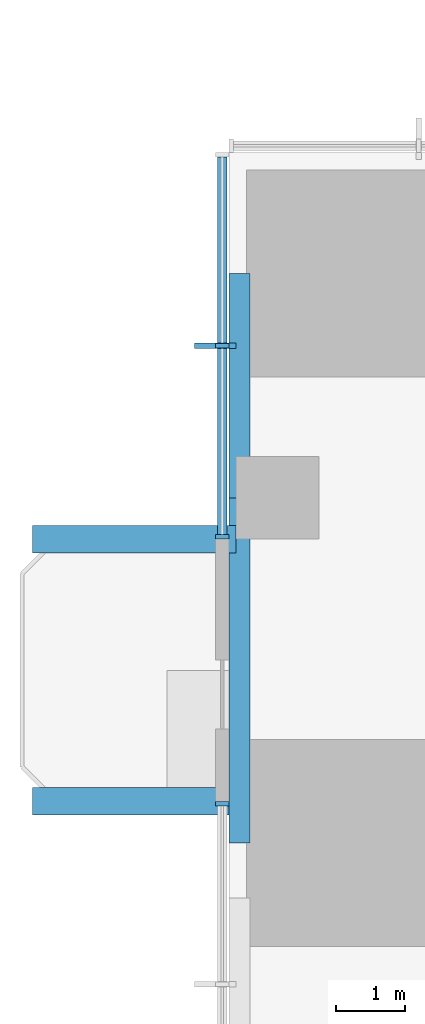
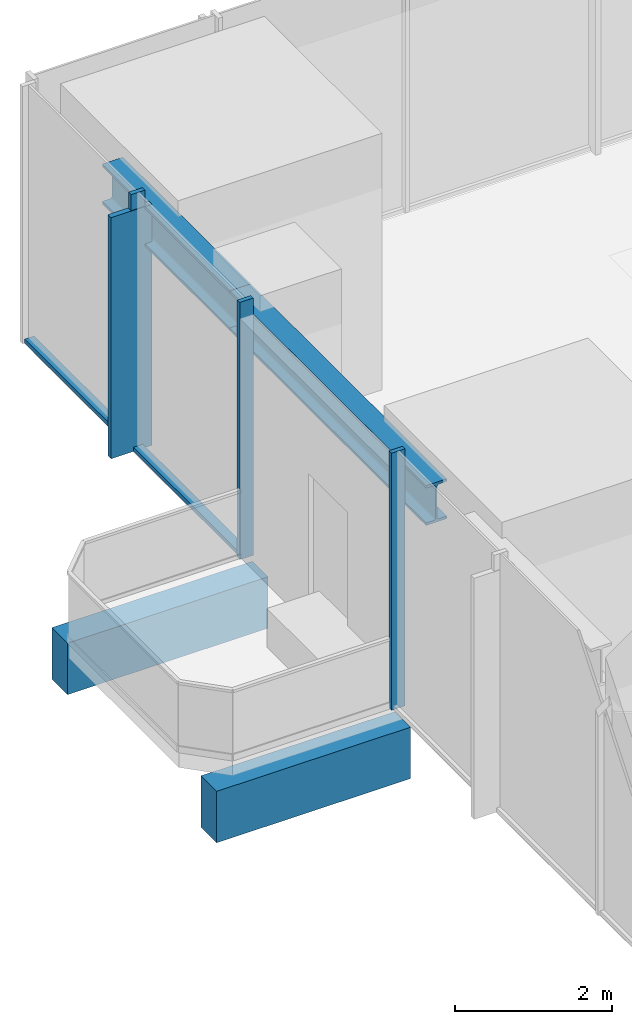
# One storey, part 3 of 13: 6 members, 4 beams, 2 elements without a shape of their own.
"""IFC4 building model written with IfcOpenShell, lengths in metres."""

from ifc_helpers import new_model, si_unit, direction, frame, origin, origin_2d, place, context, subcontext, project, spatial, rectangle, i_section, extrude, material, material_profile, profile_set, type_object, element, aggregate, save


model = new_model("IFC4")

# Units and contexts
model_context = context("Model", 3, precision=1e-05, world=origin(), true_north=direction((0.0, 1.0)))
body_context = subcontext(model_context, "Body", "Model", "MODEL_VIEW")
ifc_project = project(units=[si_unit("LENGTHUNIT", "METRE"), si_unit("AREAUNIT", "SQUARE_METRE"), si_unit("VOLUMEUNIT", "CUBIC_METRE"), si_unit("PLANEANGLEUNIT", "RADIAN"), si_unit("MASSUNIT", "GRAM", prefix="KILO")], contexts=[model_context])

# Site, building, storey
site_placement = place(None, origin())
site = spatial("IfcSite", under=ifc_project, at=site_placement, CompositionType="ELEMENT")
building_placement = place(site_placement, origin())
building = spatial("IfcBuilding", under=site, at=building_placement, Name="Svetlomir Tower", CompositionType="ELEMENT")
storey_placement = place(building_placement, frame((0.0, 0.0, 100.5)))
storey = spatial("IfcBuildingStorey", under=building, at=storey_placement, Name="L23", CompositionType="ELEMENT", Elevation=100.5)

# Beams
ifc_material_1 = material(Name="Concrete C60/75", Category="concrete")
ifc_material_profile_1 = material_profile(ifc_material_1, rectangle(XDim=0.39990234375, YDim=0.800048828125, at=origin_2d()), Name="RC 400x800")
ifc_profile_set_1 = profile_set([ifc_material_profile_1], Name="Concrete C60/75")
beam_type_1 = type_object("IfcBeamType", Name="BALCONY RIB RC 400x800", PredefinedType="BEAM", material=ifc_profile_set_1)
beam_1_placement = place(storey_placement, frame((0.0, 21.60009765625, -0.64990234375), z_axis=(-1.0, 0.0, 0.0), x_axis=(0.0, -1.0, 0.0)))
element("IfcBeam", 1, at=beam_1_placement, inside=storey, type_object=beam_type_1, Name="Balcony rib W 1 L23", PredefinedType="BEAM", context=body_context, shape_type="SweptSolid", body=[
    extrude(rectangle(XDim=0.39990234375, YDim=0.800048828125, at=origin_2d()), origin(), (0.0, 0.0, 1.0), 2.85009765625),
])
beam_2_placement = place(storey_placement, frame((0.10009765625, 25.39990234375, -0.64990234375), z_axis=(-1.0, 0.0, 0.0), x_axis=(0.0, -1.0, 0.0)))
element("IfcBeam", 2, at=beam_2_placement, inside=storey, type_object=beam_type_1, Name="Balcony rib W 2 L23", PredefinedType="BEAM", context=body_context, shape_type="SweptSolid", body=[
    extrude(rectangle(XDim=0.39990234375, YDim=0.800048828125, at=origin_2d()), origin(), (0.0, 0.0, 1.0), 2.9501953125),
])

# Curtain wall, members
ifc_material_2 = material(Name="Bronze anodised aluminium curtain wall", Category="aluminium")
curtain_wall_type = type_object("IfcCurtainWallType", Name="CURTAIN WALL CW1 TOWER OFFICE", PredefinedType="NOTDEFINED", material=ifc_material_2)
curtain_wall_1_placement = place(storey_placement, origin())
curtain_wall_1 = element("IfcCurtainWall", 3, at=curtain_wall_1_placement, inside=storey, type_object=curtain_wall_type, Name="Curtain wall CW1 L23", PredefinedType="NOTDEFINED")
ifc_material_3 = material(Name="Bronze anodised aluminium", Category="aluminium")
ifc_material_profile_2 = material_profile(ifc_material_3, rectangle(XDim=0.080078125, YDim=0.60009765625, at=origin_2d()), Name="FIN 80x600")
ifc_profile_set_2 = profile_set([ifc_material_profile_2], Name="Bronze anodised aluminium 6063-T6")
member_type_1 = type_object("IfcMemberType", Name="BRONZE FIN 80x600", PredefinedType="USERDEFINED", material=ifc_profile_set_2)
member_1_placement = place(storey_placement, frame((-0.199951171875, 28.199951171875, 0.0), z_axis=(0.0, 0.0, 1.0), x_axis=(0.0, 1.0, 0.0)))
member_1 = element("IfcMember", 4, at=member_1_placement, type_object=member_type_1, Name="Bronze fin L23", ObjectType="FIN", PredefinedType="USERDEFINED", context=body_context, shape_type="SweptSolid", body=[
    extrude(rectangle(XDim=0.080078125, YDim=0.60009765625, at=origin_2d()), origin(), (0.0, 0.0, 1.0), 3.75),
])
ifc_material_4 = material(Name="Bronze anodised aluminium", Category="aluminium")
ifc_material_profile_3 = material_profile(ifc_material_4, rectangle(XDim=0.06494140625, YDim=0.199951171875, at=origin_2d()), Name="AL 65x200")
ifc_profile_set_3 = profile_set([ifc_material_profile_3], Name="Bronze anodised aluminium 6063-T6")
member_type_2 = type_object("IfcMemberType", Name="CW1 MULLION 65x200", PredefinedType="MULLION", material=ifc_profile_set_3)
member_2_placement = place(storey_placement, frame((-0.10009765625, 28.199951171875, 0.0), z_axis=(0.0, 0.0, 1.0), x_axis=(0.0, -1.0, 0.0)))
member_2 = element("IfcMember", 5, at=member_2_placement, type_object=member_type_2, Name="CW1 mullion 2", PredefinedType="MULLION", context=body_context, shape_type="SweptSolid", body=[
    extrude(rectangle(XDim=0.06494140625, YDim=0.199951171875, at=origin_2d()), origin(), (0.0, 0.0, 1.0), 4.0),
])
member_3_placement = place(storey_placement, frame((-0.10009765625, 25.4326171875, 0.0), z_axis=(0.0, 0.0, 1.0), x_axis=(0.0, -1.0, 0.0)))
member_3 = element("IfcMember", 6, at=member_3_placement, type_object=member_type_2, Name="CW1 mullion 3", PredefinedType="MULLION", context=body_context, shape_type="SweptSolid", body=[
    extrude(rectangle(XDim=0.06494140625, YDim=0.199951171875, at=origin_2d()), origin(), (0.0, 0.0, 1.0), 4.0),
])

# Curtain wall, member
curtain_wall_2_placement = place(storey_placement, origin())
curtain_wall_2 = element("IfcCurtainWall", 7, at=curtain_wall_2_placement, inside=storey, type_object=curtain_wall_type, Name="Curtain wall CW1 L23", PredefinedType="NOTDEFINED")
member_4_placement = place(storey_placement, frame((-0.10009765625, 21.5673828125, 0.0), z_axis=(0.0, 0.0, 1.0), x_axis=(0.0, -1.0, 0.0)))
member_4 = element("IfcMember", 8, at=member_4_placement, type_object=member_type_2, Name="CW1 mullion 1", PredefinedType="MULLION", context=body_context, shape_type="SweptSolid", body=[
    extrude(rectangle(XDim=0.06494140625, YDim=0.199951171875, at=origin_2d()), origin(), (0.0, 0.0, 1.0), 4.0),
])
aggregate(curtain_wall_2, [member_4])

# Member
ifc_material_5 = material(Name="Bronze anodised aluminium", Category="aluminium")
ifc_material_profile_4 = material_profile(ifc_material_5, rectangle(XDim=0.139892578125, YDim=0.06494140625, at=origin_2d()), Name="AL 140x65")
ifc_profile_set_4 = profile_set([ifc_material_profile_4], Name="Bronze anodised aluminium 6063-T6")
member_type_3 = type_object("IfcMemberType", Name="CW1 TRANSOM 65x140", PredefinedType="USERDEFINED", material=ifc_profile_set_4)
member_5_placement = place(storey_placement, frame((-0.10009765625, 30.93505859375, 0.032470703125), z_axis=(0.0, -1.0, 0.0), x_axis=(1.0, 0.0, 0.0)))
member_5 = element("IfcMember", 9, at=member_5_placement, type_object=member_type_3, Name="CW1 transom 1.1", ObjectType="TRANSOM", PredefinedType="USERDEFINED", context=body_context, shape_type="SweptSolid", body=[
    extrude(rectangle(XDim=0.139892578125, YDim=0.06494140625, at=origin_2d()), origin(), (0.0, 0.0, 1.0), 2.70263671875),
])

member_6_placement = place(storey_placement, frame((-0.10009765625, 28.16748046875, 0.032470703125), z_axis=(0.0, -1.0, 0.0), x_axis=(1.0, 0.0, 0.0)))
member_6 = element("IfcMember", 10, at=member_6_placement, type_object=member_type_3, Name="CW1 transom 2.1", ObjectType="TRANSOM", PredefinedType="USERDEFINED", context=body_context, shape_type="SweptSolid", body=[
    extrude(rectangle(XDim=0.139892578125, YDim=0.06494140625, at=origin_2d()), origin(), (0.0, 0.0, 1.0), 2.702392578125),
])

aggregate(curtain_wall_1, [member_2, member_3, member_5, member_6, member_1])

# Beams
ifc_material_6 = material(Name="Steel S355", Category="steel")
ifc_material_profile_5 = material_profile(ifc_material_6, i_section(OverallWidth=0.304931640625, OverallDepth=0.6201171875, WebThickness=0.02099609375, FlangeThickness=0.0400390625, FilletRadius=0.027099609375, at=origin_2d()), Name="HEM 600")
ifc_profile_set_5 = profile_set([ifc_material_profile_5], Name="Steel S355")
beam_type_2 = type_object("IfcBeamType", Name="EDGE BEAM HEM 600", PredefinedType="SPANDREL", material=ifc_profile_set_5)
beam_3_placement = place(storey_placement, frame((0.152587890625, 21.0, 3.43994140625), z_axis=(0.0, 1.0, 0.0), x_axis=(-1.0, 0.0, 0.0)))
element("IfcBeam", 11, at=beam_3_placement, inside=storey, type_object=beam_type_2, Name="Edge beam 0/21 to 0/26 under L24", PredefinedType="SPANDREL", context=body_context, shape_type="SweptSolid", body=[
    extrude(i_section(OverallWidth=0.304931640625, OverallDepth=0.6201171875, WebThickness=0.02099609375, FlangeThickness=0.0400390625, FilletRadius=0.027099609375, at=origin_2d()), origin(), (0.0, 0.0, 1.0), 5.0),
])
beam_4_placement = place(storey_placement, frame((0.152587890625, 26.0, 3.43994140625), z_axis=(0.0, 1.0, 0.0), x_axis=(-1.0, 0.0, 0.0)))
element("IfcBeam", 12, at=beam_4_placement, inside=storey, type_object=beam_type_2, Name="Edge beam 0/26 to 0/31 under L24", PredefinedType="SPANDREL", context=body_context, shape_type="SweptSolid", body=[
    extrude(i_section(OverallWidth=0.304931640625, OverallDepth=0.6201171875, WebThickness=0.02099609375, FlangeThickness=0.0400390625, FilletRadius=0.027099609375, at=origin_2d()), origin(), (0.0, 0.0, 1.0), 3.25),
])

save(model, "model.ifc")
